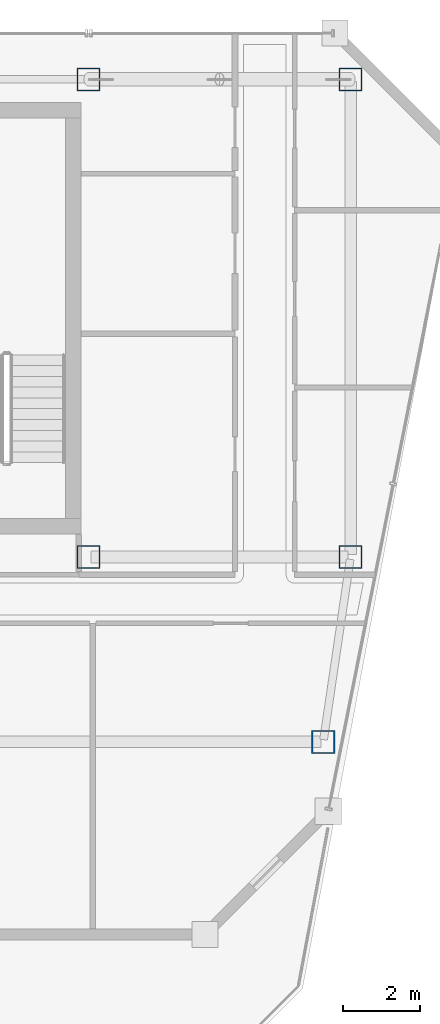
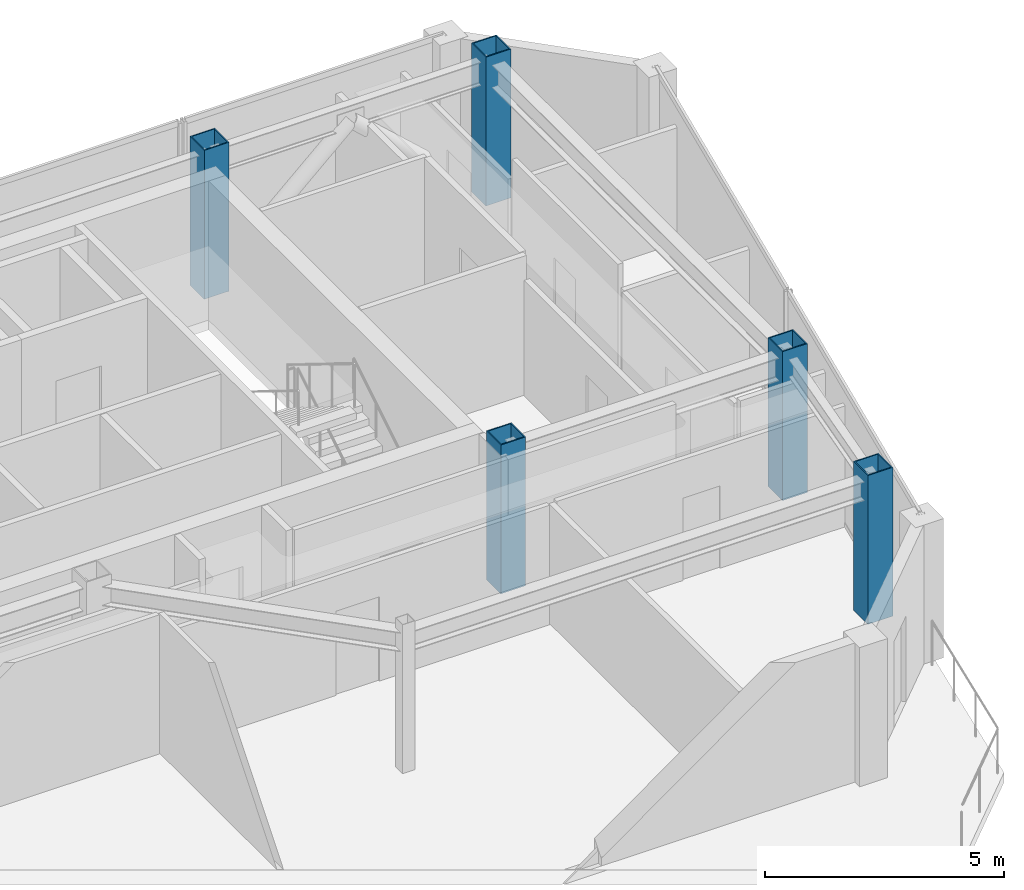
# One storey, part 2 of 20: 5 columns.
"""IFC4 building model written with IfcOpenShell, lengths in metres."""

from ifc_helpers import new_model, si_unit, direction, frame, origin, origin_2d, place, context, subcontext, project, spatial, hollow_rectangle, extrude, material, material_profile, profile_set, type_object, element, save


model = new_model("IFC4")

# Units and contexts
model_context = context("Model", 3, precision=1e-05, world=origin(), true_north=direction((0.0, 1.0)))
body_context = subcontext(model_context, "Body", "Model", "MODEL_VIEW")
ifc_project = project(units=[si_unit("LENGTHUNIT", "METRE"), si_unit("AREAUNIT", "SQUARE_METRE"), si_unit("VOLUMEUNIT", "CUBIC_METRE"), si_unit("PLANEANGLEUNIT", "RADIAN"), si_unit("MASSUNIT", "GRAM", prefix="KILO")], contexts=[model_context])

# Site, building, storey
site_placement = place(None, origin())
site = spatial("IfcSite", under=ifc_project, at=site_placement, CompositionType="ELEMENT")
building_placement = place(site_placement, origin())
building = spatial("IfcBuilding", under=site, at=building_placement, Name="Saevonmaru Cultural Tower", CompositionType="ELEMENT")
storey_placement = place(building_placement, frame((0.0, 0.0, 295.199951171875)))
storey = spatial("IfcBuildingStorey", under=building, at=storey_placement, Name="L70", CompositionType="ELEMENT", Elevation=295.199951171875)

# Columns
ifc_material = material(Name="Steel SM355", Category="steel")
ifc_material_profile = material_profile(ifc_material, hollow_rectangle(XDim=0.60009765625, YDim=0.60009765625, WallThickness=0.028076171875, at=origin_2d()), Name="BOX-600x600x28")
ifc_profile_set = profile_set([ifc_material_profile], Name="Steel SM355")
column_type = type_object("IfcColumnType", Name="COL-BOX-600", PredefinedType="COLUMN", material=ifc_profile_set)
for number, where, z_axis, x_axis, name in (
    (1, (46.39990234375, 54.800048828125, 0.0), (0.0, 0.0, 1.0), (1.0, 0.0, 0.0), "L70 Column TC-N5N"),
    (2, (53.199951171875, 54.800048828125, 0.0), (0.0, 0.0, 1.0), (1.0, 0.0, 0.0), "L70 Column TC-N6N"),
    (3, (46.39990234375, 42.39990234375, 0.0), (0.0, 0.0, 1.0), (1.0, 0.0, 0.0), "L70 Column TC-S5C"),
    (4, (53.199951171875, 42.39990234375, 0.0), (0.0, 0.0, 1.0), (1.0, 0.0, 0.0), "L70 Column TC-S6C"),
    (5, (52.491943359375, 37.60009765625, 0.0), (0.0, 0.0, 1.0), (1.0, 0.0, 0.0), "L70 Column TC-EO-Y376"),
):
    element("IfcColumn", number, at=place(storey_placement, frame(where, z_axis=z_axis, x_axis=x_axis)), inside=storey, type_object=column_type, Name=name, PredefinedType="COLUMN", context=body_context, shape_type="SweptSolid", body=[
        extrude(hollow_rectangle(XDim=0.60009765625, YDim=0.60009765625, WallThickness=0.028076171875, at=origin_2d()), origin(), (0.0, 0.0, 1.0), 3.800048828125),
    ])

save(model, "model.ifc")
